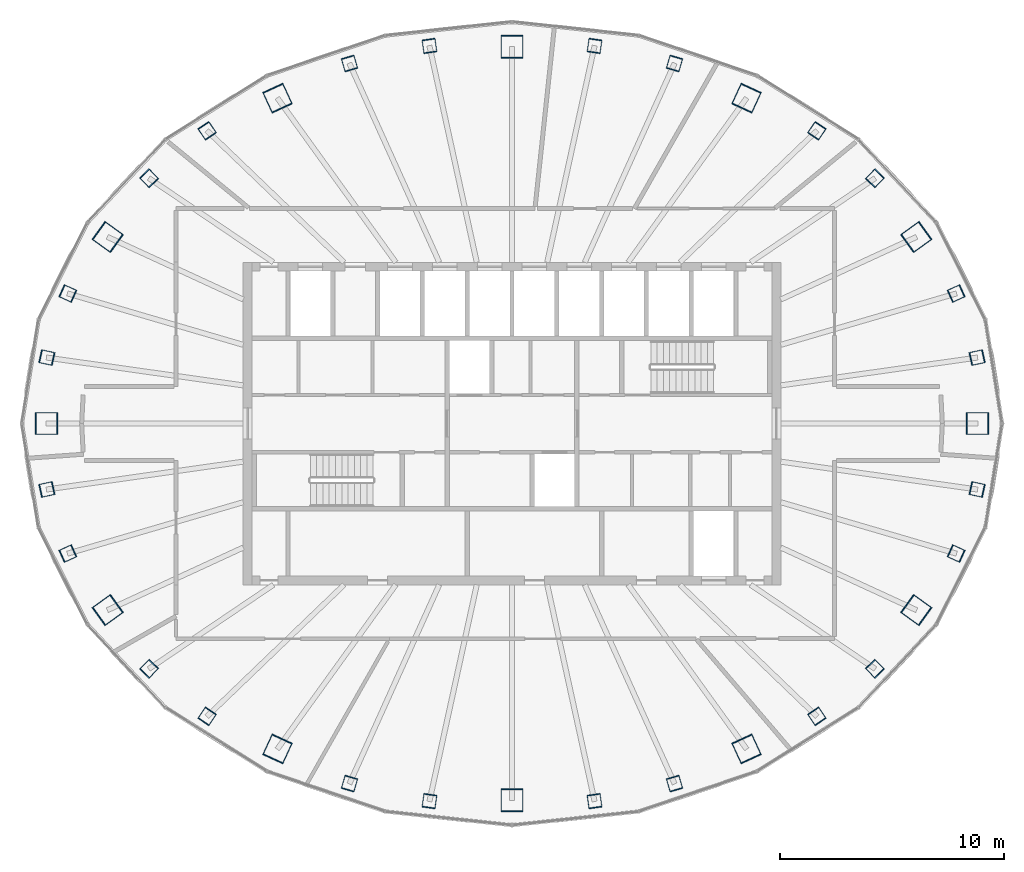
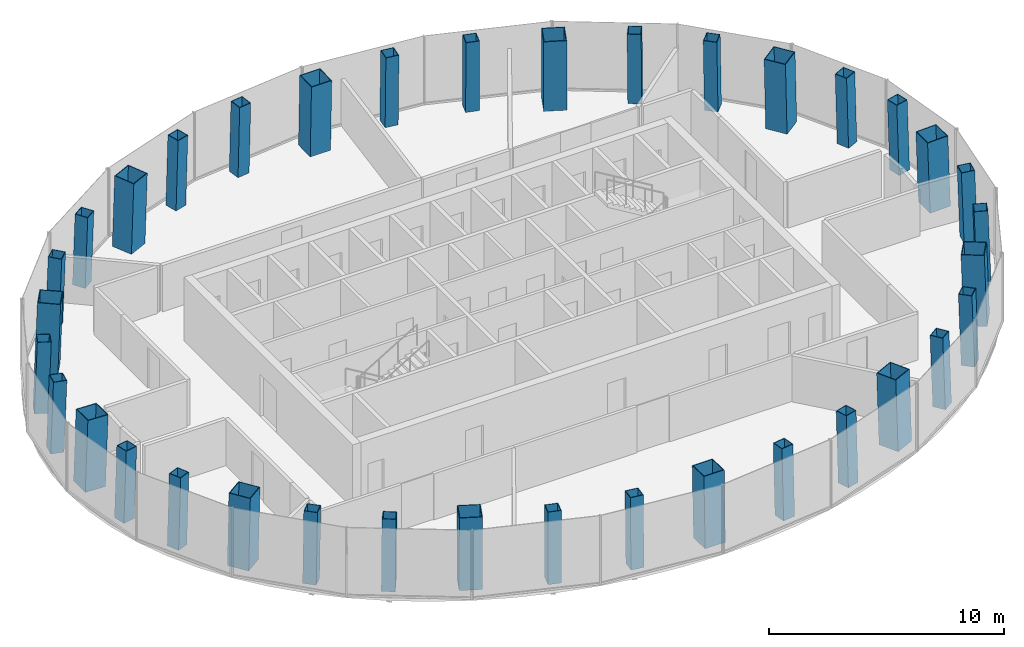
# One storey, part 1 of 11: 36 columns.
"""IFC4 building model written with IfcOpenShell, lengths in metres."""

from ifc_helpers import new_model, si_unit, direction, frame, origin, origin_2d, place, context, subcontext, project, spatial, hollow_rectangle, extrude, material, material_profile, profile_set, type_object, element, save


model = new_model("IFC4")

# Units and contexts
model_context = context("Model", 3, precision=1e-05, world=origin(), true_north=direction((0.0, 1.0)))
body_context = subcontext(model_context, "Body", "Model", "MODEL_VIEW")
ifc_project = project(units=[si_unit("LENGTHUNIT", "METRE"), si_unit("AREAUNIT", "SQUARE_METRE"), si_unit("VOLUMEUNIT", "CUBIC_METRE"), si_unit("PLANEANGLEUNIT", "RADIAN"), si_unit("MASSUNIT", "GRAM", prefix="KILO")], contexts=[model_context])

# Site, building, storey
site_placement = place(None, origin())
site = spatial("IfcSite", under=ifc_project, at=site_placement, CompositionType="ELEMENT")
building_placement = place(site_placement, origin())
building = spatial("IfcBuilding", under=site, at=building_placement, Name="Siaravel Broadcast Tower", CompositionType="ELEMENT")
storey_placement = place(building_placement, frame((0.0, 0.0, 220.800048828125)))
storey = spatial("IfcBuildingStorey", under=building, at=storey_placement, Name="L53", CompositionType="ELEMENT", Elevation=220.800048828125)

# Columns
ifc_material_1 = material(Name="Concrete C70/85", Category="concrete")
ifc_material_profile_1 = material_profile(ifc_material_1, hollow_rectangle(XDim=1.0, YDim=1.0, WallThickness=0.031982421875, at=origin_2d()))
ifc_profile_set_1 = profile_set([ifc_material_profile_1], Name="Concrete C70/85")
column_type_1 = type_object("IfcColumnType", Name="COL-CFT BOX 1000x1000x32", PredefinedType="COLUMN", material=ifc_profile_set_1)
column_1_placement = place(storey_placement, frame((20.80029296875, 0.0, 0.0), z_axis=(-0.034621265, 0.0, 0.999400504), x_axis=(0.0, -1.0, 0.0)))
element("IfcColumn", 1, at=column_1_placement, inside=storey, type_object=column_type_1, Name="Megacolumn MC01", PredefinedType="COLUMN", context=body_context, shape_type="SweptSolid", body=[
    extrude(hollow_rectangle(XDim=1.0, YDim=1.0, WallThickness=0.031982421875, at=origin_2d()), origin(), (0.0, 0.0, 1.0), 3.7021484375),
])
column_2_placement = place(storey_placement, frame((18.06689453125, 8.335693359375, 0.0), z_axis=(-0.029940667, -0.01417895, 0.999451106), x_axis=(0.584184818, -0.811598583, 0.005986553)))
element("IfcColumn", 2, at=column_2_placement, inside=storey, type_object=column_type_1, Name="Megacolumn MC02", PredefinedType="COLUMN", context=body_context, shape_type="SweptSolid", body=[
    extrude(hollow_rectangle(XDim=1.0, YDim=1.0, WallThickness=0.031982421875, at=origin_2d()), origin(), (0.0, 0.0, 1.0), 3.701904296875),
])
column_3_placement = place(storey_placement, frame((10.479736328125, 14.541015625, 0.0), z_axis=(-0.017280237, -0.024535299, 0.999549605), x_axis=(0.908555269, -0.417729078, 0.005453399)))
element("IfcColumn", 3, at=column_3_placement, inside=storey, type_object=column_type_1, Name="Megacolumn MC03", PredefinedType="COLUMN", context=body_context, shape_type="SweptSolid", body=[
    extrude(hollow_rectangle(XDim=1.0, YDim=1.0, WallThickness=0.031982421875, at=origin_2d()), origin(), (0.0, 0.0, 1.0), 3.70166015625),
])
column_4_placement = place(storey_placement, frame((0.0, 16.838623046875, 0.0), z_axis=(0.0, -0.028296154, 0.999599584), x_axis=(1.0, 0.0, 0.0)))
element("IfcColumn", 4, at=column_4_placement, inside=storey, type_object=column_type_1, Name="Megacolumn MC04", PredefinedType="COLUMN", context=body_context, shape_type="SweptSolid", body=[
    extrude(hollow_rectangle(XDim=1.0, YDim=1.0, WallThickness=0.031982421875, at=origin_2d()), origin(), (0.0, 0.0, 1.0), 3.701416015625),
])
column_5_placement = place(storey_placement, frame((-10.479736328125, 14.541015625, 0.0), z_axis=(0.017280237, -0.024535299, 0.999549605), x_axis=(0.908555269, 0.417729078, -0.005453399)))
element("IfcColumn", 5, at=column_5_placement, inside=storey, type_object=column_type_1, Name="Megacolumn MC05", PredefinedType="COLUMN", context=body_context, shape_type="SweptSolid", body=[
    extrude(hollow_rectangle(XDim=1.0, YDim=1.0, WallThickness=0.031982421875, at=origin_2d()), origin(), (0.0, 0.0, 1.0), 3.70166015625),
])
column_6_placement = place(storey_placement, frame((-18.06689453125, 8.335693359375, 0.0), z_axis=(0.029940667, -0.01417895, 0.999451106), x_axis=(0.584184818, 0.811598583, -0.005986553)))
element("IfcColumn", 6, at=column_6_placement, inside=storey, type_object=column_type_1, Name="Megacolumn MC06", PredefinedType="COLUMN", context=body_context, shape_type="SweptSolid", body=[
    extrude(hollow_rectangle(XDim=1.0, YDim=1.0, WallThickness=0.031982421875, at=origin_2d()), origin(), (0.0, 0.0, 1.0), 3.701904296875),
])
column_7_placement = place(storey_placement, frame((-20.80029296875, 0.0, 0.0), z_axis=(0.034621265, 0.0, 0.999400504), x_axis=(0.0, 1.0, 0.0)))
element("IfcColumn", 7, at=column_7_placement, inside=storey, type_object=column_type_1, Name="Megacolumn MC07", PredefinedType="COLUMN", context=body_context, shape_type="SweptSolid", body=[
    extrude(hollow_rectangle(XDim=1.0, YDim=1.0, WallThickness=0.031982421875, at=origin_2d()), origin(), (0.0, 0.0, 1.0), 3.7021484375),
])
column_8_placement = place(storey_placement, frame((-18.06689453125, -8.335693359375, 0.0), z_axis=(0.029940667, 0.01417895, 0.999451106), x_axis=(-0.584184818, 0.811598583, 0.005986553)))
element("IfcColumn", 8, at=column_8_placement, inside=storey, type_object=column_type_1, Name="Megacolumn MC08", PredefinedType="COLUMN", context=body_context, shape_type="SweptSolid", body=[
    extrude(hollow_rectangle(XDim=1.0, YDim=1.0, WallThickness=0.031982421875, at=origin_2d()), origin(), (0.0, 0.0, 1.0), 3.701904296875),
])
column_9_placement = place(storey_placement, frame((-10.479736328125, -14.541015625, 0.0), z_axis=(0.017280237, 0.024535299, 0.999549605), x_axis=(-0.908555269, 0.417729078, 0.005453399)))
element("IfcColumn", 9, at=column_9_placement, inside=storey, type_object=column_type_1, Name="Megacolumn MC09", PredefinedType="COLUMN", context=body_context, shape_type="SweptSolid", body=[
    extrude(hollow_rectangle(XDim=1.0, YDim=1.0, WallThickness=0.031982421875, at=origin_2d()), origin(), (0.0, 0.0, 1.0), 3.70166015625),
])
column_10_placement = place(storey_placement, frame((0.0, -16.838623046875, 0.0), z_axis=(0.0, 0.028296154, 0.999599584), x_axis=(-1.0, 0.0, 0.0)))
element("IfcColumn", 10, at=column_10_placement, inside=storey, type_object=column_type_1, Name="Megacolumn MC10", PredefinedType="COLUMN", context=body_context, shape_type="SweptSolid", body=[
    extrude(hollow_rectangle(XDim=1.0, YDim=1.0, WallThickness=0.031982421875, at=origin_2d()), origin(), (0.0, 0.0, 1.0), 3.701416015625),
])
column_11_placement = place(storey_placement, frame((10.479736328125, -14.541015625, 0.0), z_axis=(-0.017280237, 0.024535299, 0.999549605), x_axis=(-0.908555269, -0.417729078, -0.005453399)))
element("IfcColumn", 11, at=column_11_placement, inside=storey, type_object=column_type_1, Name="Megacolumn MC11", PredefinedType="COLUMN", context=body_context, shape_type="SweptSolid", body=[
    extrude(hollow_rectangle(XDim=1.0, YDim=1.0, WallThickness=0.031982421875, at=origin_2d()), origin(), (0.0, 0.0, 1.0), 3.70166015625),
])
column_12_placement = place(storey_placement, frame((18.06689453125, -8.335693359375, 0.0), z_axis=(-0.029940667, 0.01417895, 0.999451106), x_axis=(-0.584184818, -0.811598583, -0.005986553)))
element("IfcColumn", 12, at=column_12_placement, inside=storey, type_object=column_type_1, Name="Megacolumn MC12", PredefinedType="COLUMN", context=body_context, shape_type="SweptSolid", body=[
    extrude(hollow_rectangle(XDim=1.0, YDim=1.0, WallThickness=0.031982421875, at=origin_2d()), origin(), (0.0, 0.0, 1.0), 3.701904296875),
])
ifc_material_2 = material(Name="Concrete C50/60", Category="concrete")
ifc_material_profile_2 = material_profile(ifc_material_2, hollow_rectangle(XDim=0.60009765625, YDim=0.60009765625, WallThickness=0.02490234375, at=origin_2d()))
ifc_profile_set_2 = profile_set([ifc_material_profile_2], Name="Concrete C50/60")
column_type_2 = type_object("IfcColumnType", Name="COL-CFT BOX 600x600x25", PredefinedType="COLUMN", material=ifc_profile_set_2)
for number, where, z_axis, x_axis, name in (
    (13, (20.785400390625, 2.94677734375, 0.0), (-0.034093903, -0.004945924, 0.999406396), (0.213571516, -0.976924357, 0.002451148), "Perimeter column C01"),
    (14, (19.848388671875, 5.810546875, 0.0), (-0.032511791, -0.009694185, 0.999424337), (0.410537866, -0.911832395, 0.004510446), "Perimeter column C02"),
):
    element("IfcColumn", number, at=place(storey_placement, frame(where, z_axis=z_axis, x_axis=x_axis)), inside=storey, type_object=column_type_2, Name=name, PredefinedType="COLUMN", context=body_context, shape_type="SweptSolid", body=[
        extrude(hollow_rectangle(XDim=0.60009765625, YDim=0.60009765625, WallThickness=0.02490234375, at=origin_2d()), origin(), (0.0, 0.0, 1.0), 3.7021484375),
    ])
column_13_placement = place(storey_placement, frame((16.2177734375, 10.958251953125, 0.0), z_axis=(-0.026512179, -0.018202391, 0.999482755), x_axis=(0.720661242, -0.693256984, 0.006490722)))
element("IfcColumn", 15, at=column_13_placement, inside=storey, type_object=column_type_2, Name="Perimeter column C03", PredefinedType="COLUMN", context=body_context, shape_type="SweptSolid", body=[
    extrude(hollow_rectangle(XDim=0.60009765625, YDim=0.60009765625, WallThickness=0.02490234375, at=origin_2d()), origin(), (0.0, 0.0, 1.0), 3.701904296875),
])
column_14_placement = place(storey_placement, frame((13.6240234375, 13.08251953125, 0.0), z_axis=(-0.022226156, -0.021698532, 0.999517469), x_axis=(0.828692422, -0.559669063, 0.006277679)))
element("IfcColumn", 16, at=column_14_placement, inside=storey, type_object=column_type_2, Name="Perimeter column C04", PredefinedType="COLUMN", context=body_context, shape_type="SweptSolid", body=[
    extrude(hollow_rectangle(XDim=0.60009765625, YDim=0.60009765625, WallThickness=0.02490234375, at=origin_2d()), origin(), (0.0, 0.0, 1.0), 3.70166015625),
])
for number, where, z_axis, x_axis, name in (
    (17, (7.26171875, 16.09033203125, 0.0), (-0.011806266, -0.026646544, 0.999575197), (0.960233344, -0.279171486, 0.003899471), "Perimeter column C05"),
    (18, (3.688720703125, 16.87451171875, 0.0), (-0.006068118, -0.027966107, 0.999590454), (0.989942702, -0.141454009, 0.002052011), "Perimeter column C06"),
    (19, (-3.688720703125, 16.87451171875, 0.0), (0.006068118, -0.027966107, 0.999590454), (0.989942702, 0.141454009, -0.002052011), "Perimeter column C07"),
    (20, (-7.26171875, 16.09033203125, 0.0), (0.011806266, -0.026646544, 0.999575197), (0.960233344, 0.279171486, -0.003899471), "Perimeter column C08"),
):
    element("IfcColumn", number, at=place(storey_placement, frame(where, z_axis=z_axis, x_axis=x_axis)), inside=storey, type_object=column_type_2, Name=name, PredefinedType="COLUMN", context=body_context, shape_type="SweptSolid", body=[
        extrude(hollow_rectangle(XDim=0.60009765625, YDim=0.60009765625, WallThickness=0.02490234375, at=origin_2d()), origin(), (0.0, 0.0, 1.0), 3.701416015625),
    ])
column_15_placement = place(storey_placement, frame((-13.6240234375, 13.08251953125, 0.0), z_axis=(0.022226156, -0.021698532, 0.999517469), x_axis=(0.828692422, 0.559669063, -0.006277679)))
element("IfcColumn", 21, at=column_15_placement, inside=storey, type_object=column_type_2, Name="Perimeter column C09", PredefinedType="COLUMN", context=body_context, shape_type="SweptSolid", body=[
    extrude(hollow_rectangle(XDim=0.60009765625, YDim=0.60009765625, WallThickness=0.02490234375, at=origin_2d()), origin(), (0.0, 0.0, 1.0), 3.70166015625),
])
column_16_placement = place(storey_placement, frame((-16.2177734375, 10.958251953125, 0.0), z_axis=(0.026512179, -0.018202391, 0.999482755), x_axis=(0.720661242, 0.693256984, -0.006490722)))
element("IfcColumn", 22, at=column_16_placement, inside=storey, type_object=column_type_2, Name="Perimeter column C10", PredefinedType="COLUMN", context=body_context, shape_type="SweptSolid", body=[
    extrude(hollow_rectangle(XDim=0.60009765625, YDim=0.60009765625, WallThickness=0.02490234375, at=origin_2d()), origin(), (0.0, 0.0, 1.0), 3.701904296875),
])
for number, where, z_axis, x_axis, name in (
    (23, (-19.848388671875, 5.810546875, 0.0), (0.032511791, -0.009694185, 0.999424337), (0.410537866, 0.911832395, -0.004510446), "Perimeter column C11"),
    (24, (-20.785400390625, 2.94677734375, 0.0), (0.034093903, -0.004945924, 0.999406396), (0.213571516, 0.976924357, -0.002451148), "Perimeter column C12"),
    (25, (-20.785400390625, -2.94677734375, 0.0), (0.034093903, 0.004945924, 0.999406396), (-0.213571516, 0.976924357, 0.002451148), "Perimeter column C13"),
    (26, (-19.848388671875, -5.810546875, 0.0), (0.032511791, 0.009694185, 0.999424337), (-0.410537866, 0.911832395, 0.004510446), "Perimeter column C14"),
):
    element("IfcColumn", number, at=place(storey_placement, frame(where, z_axis=z_axis, x_axis=x_axis)), inside=storey, type_object=column_type_2, Name=name, PredefinedType="COLUMN", context=body_context, shape_type="SweptSolid", body=[
        extrude(hollow_rectangle(XDim=0.60009765625, YDim=0.60009765625, WallThickness=0.02490234375, at=origin_2d()), origin(), (0.0, 0.0, 1.0), 3.7021484375),
    ])
column_17_placement = place(storey_placement, frame((-16.2177734375, -10.958251953125, 0.0), z_axis=(0.026512179, 0.018202391, 0.999482755), x_axis=(-0.720661242, 0.693256984, 0.006490722)))
element("IfcColumn", 27, at=column_17_placement, inside=storey, type_object=column_type_2, Name="Perimeter column C15", PredefinedType="COLUMN", context=body_context, shape_type="SweptSolid", body=[
    extrude(hollow_rectangle(XDim=0.60009765625, YDim=0.60009765625, WallThickness=0.02490234375, at=origin_2d()), origin(), (0.0, 0.0, 1.0), 3.701904296875),
])
column_18_placement = place(storey_placement, frame((-13.6240234375, -13.08251953125, 0.0), z_axis=(0.022226156, 0.021698532, 0.999517469), x_axis=(-0.828692422, 0.559669063, 0.006277679)))
element("IfcColumn", 28, at=column_18_placement, inside=storey, type_object=column_type_2, Name="Perimeter column C16", PredefinedType="COLUMN", context=body_context, shape_type="SweptSolid", body=[
    extrude(hollow_rectangle(XDim=0.60009765625, YDim=0.60009765625, WallThickness=0.02490234375, at=origin_2d()), origin(), (0.0, 0.0, 1.0), 3.70166015625),
])
for number, where, z_axis, x_axis, name in (
    (29, (-7.26171875, -16.09033203125, 0.0), (0.011806266, 0.026646544, 0.999575197), (-0.960233344, 0.279171486, 0.003899471), "Perimeter column C17"),
    (30, (-3.688720703125, -16.87451171875, 0.0), (0.006068118, 0.027966107, 0.999590454), (-0.989942702, 0.141454009, 0.002052011), "Perimeter column C18"),
    (31, (3.688720703125, -16.87451171875, 0.0), (-0.006068118, 0.027966107, 0.999590454), (-0.989942702, -0.141454009, -0.002052011), "Perimeter column C19"),
    (32, (7.26171875, -16.09033203125, 0.0), (-0.011806266, 0.026646544, 0.999575197), (-0.960233344, -0.279171486, -0.003899471), "Perimeter column C20"),
):
    element("IfcColumn", number, at=place(storey_placement, frame(where, z_axis=z_axis, x_axis=x_axis)), inside=storey, type_object=column_type_2, Name=name, PredefinedType="COLUMN", context=body_context, shape_type="SweptSolid", body=[
        extrude(hollow_rectangle(XDim=0.60009765625, YDim=0.60009765625, WallThickness=0.02490234375, at=origin_2d()), origin(), (0.0, 0.0, 1.0), 3.701416015625),
    ])
column_19_placement = place(storey_placement, frame((13.6240234375, -13.08251953125, 0.0), z_axis=(-0.022226156, 0.021698532, 0.999517469), x_axis=(-0.828692422, -0.559669063, -0.006277679)))
element("IfcColumn", 33, at=column_19_placement, inside=storey, type_object=column_type_2, Name="Perimeter column C21", PredefinedType="COLUMN", context=body_context, shape_type="SweptSolid", body=[
    extrude(hollow_rectangle(XDim=0.60009765625, YDim=0.60009765625, WallThickness=0.02490234375, at=origin_2d()), origin(), (0.0, 0.0, 1.0), 3.70166015625),
])
column_20_placement = place(storey_placement, frame((16.2177734375, -10.958251953125, 0.0), z_axis=(-0.026512179, 0.018202391, 0.999482755), x_axis=(-0.720661242, -0.693256984, -0.006490722)))
element("IfcColumn", 34, at=column_20_placement, inside=storey, type_object=column_type_2, Name="Perimeter column C22", PredefinedType="COLUMN", context=body_context, shape_type="SweptSolid", body=[
    extrude(hollow_rectangle(XDim=0.60009765625, YDim=0.60009765625, WallThickness=0.02490234375, at=origin_2d()), origin(), (0.0, 0.0, 1.0), 3.701904296875),
])
for number, where, z_axis, x_axis, name in (
    (35, (19.848388671875, -5.810546875, 0.0), (-0.032511791, 0.009694185, 0.999424337), (-0.410537866, -0.911832395, -0.004510446), "Perimeter column C23"),
    (36, (20.785400390625, -2.94677734375, 0.0), (-0.034093903, 0.004945924, 0.999406396), (-0.213571516, -0.976924357, -0.002451148), "Perimeter column C24"),
):
    element("IfcColumn", number, at=place(storey_placement, frame(where, z_axis=z_axis, x_axis=x_axis)), inside=storey, type_object=column_type_2, Name=name, PredefinedType="COLUMN", context=body_context, shape_type="SweptSolid", body=[
        extrude(hollow_rectangle(XDim=0.60009765625, YDim=0.60009765625, WallThickness=0.02490234375, at=origin_2d()), origin(), (0.0, 0.0, 1.0), 3.7021484375),
    ])

save(model, "model.ifc")
